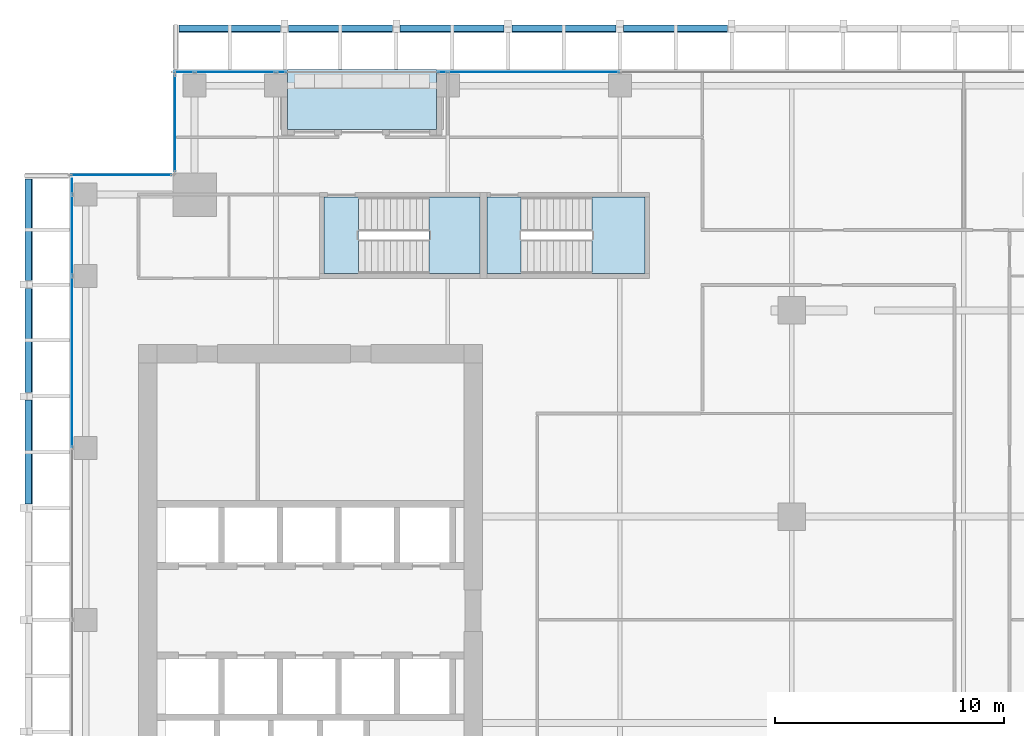
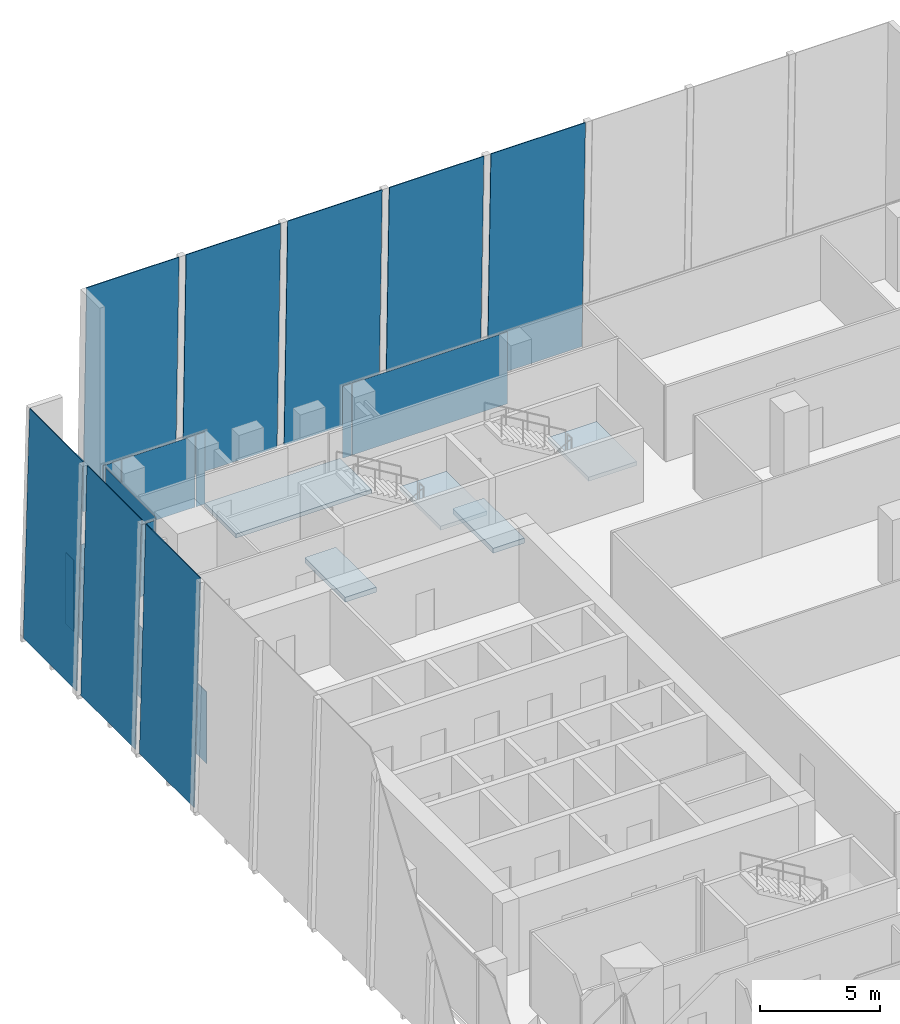
# One storey, part 26 of 35: 18 plates, 5 slabs, 7 elements without a shape of their own.
"""IFC4 building model written with IfcOpenShell, lengths in metres."""

from ifc_helpers import new_model, si_unit, direction, frame, origin, origin_2d, place, context, subcontext, project, spatial, polyline, rectangle, outline, extrude, source, transform, mapped, material, layer, layer_set, type_object, element, aggregate, save


model = new_model("IFC4")

# Units and contexts
model_context = context("Model", 3, precision=1e-05, world=origin(), true_north=direction((0.0, 1.0)))
body_context = subcontext(model_context, "Body", "Model", "MODEL_VIEW")
ifc_project = project(units=[si_unit("LENGTHUNIT", "METRE"), si_unit("AREAUNIT", "SQUARE_METRE"), si_unit("VOLUMEUNIT", "CUBIC_METRE"), si_unit("PLANEANGLEUNIT", "RADIAN"), si_unit("MASSUNIT", "GRAM", prefix="KILO")], contexts=[model_context])

# Site, building, storey
site_placement = place(None, origin())
site = spatial("IfcSite", under=ifc_project, at=site_placement, CompositionType="ELEMENT")
building_placement = place(site_placement, origin())
building = spatial("IfcBuilding", under=site, at=building_placement, Name="Khomas Fold Tower", CompositionType="ELEMENT")
storey_placement = place(building_placement, frame((0.0, 0.0, 188.699951171875)))
storey = spatial("IfcBuildingStorey", under=building, at=storey_placement, Name="L41", CompositionType="ELEMENT", Elevation=188.699951171875)

# Plates
ifc_material_1 = material(Name="Clear laminated glass", Category="glass")
ifc_layer_1 = layer(ifc_material_1, 0.0400390625)
ifc_layer_set_1 = layer_set([ifc_layer_1], Name="Clear laminated glass")
plate_type_1 = type_object("IfcPlateType", Name="SK-Clear laminated glass leaf", PredefinedType="SHEET", material=ifc_layer_set_1)
plate_1_placement = place(storey_placement, frame((7.77001953125, 52.95654296875, 0.0009765625), z_axis=(0.0, 0.999657230839, 0.026180543005), x_axis=(1.0, 0.0, 0.0)))
element("IfcPlate", 1, at=plate_1_placement, inside=storey, type_object=plate_type_1, Name="OUTER SKIN glass L41 N1", PredefinedType="SHEET", context=body_context, shape_type="SweptSolid", body=[
    extrude(outline(polyline([(0.0, 0.0), (4.43505859375, 0.0), (4.43505859375, -11.554009186164079), (0.0, -11.554009186164079), (0.0, 0.0)])), origin(), (0.0, 0.0, -1.0), 0.0400390625),
])
for number, where, z_axis, x_axis, name in (
    (2, (12.544921875, 52.95654296875, 0.0009765625), (0.0, 0.999657230839, 0.026180543005), (1.0, 0.0, 0.0), "OUTER SKIN glass L41 N3"),
    (3, (17.419921875, 52.95654296875, 0.0009765625), (0.0, 0.999657230839, 0.026180543005), (1.0, 0.0, 0.0), "OUTER SKIN glass L41 N5"),
    (4, (22.294921875, 52.95654296875, 0.0009765625), (0.0, 0.999657230839, 0.026180543005), (1.0, 0.0, 0.0), "OUTER SKIN glass L41 N7"),
    (5, (27.169921875, 52.95654296875, 0.0009765625), (0.0, 0.999657230839, 0.026180543005), (1.0, 0.0, 0.0), "OUTER SKIN glass L41 N9"),
    (6, (1.04345703125, 32.044921875, 0.0009765625), (-0.999657230839, 0.0, 0.026180543005), (0.0, 1.0, 0.0), "OUTER SKIN glass L41 W11"),
    (7, (1.04345703125, 36.919921875, 0.0009765625), (-0.999657230839, 0.0, 0.026180543005), (0.0, 1.0, 0.0), "OUTER SKIN glass L41 W13"),
):
    element("IfcPlate", number, at=place(storey_placement, frame(where, z_axis=z_axis, x_axis=x_axis)), inside=storey, type_object=plate_type_1, Name=name, PredefinedType="SHEET", context=body_context, shape_type="SweptSolid", body=[
        extrude(outline(polyline([(0.0, 0.0), (4.53515625, 0.0), (4.53515625, -11.554009186164079), (0.0, -11.554009186164079), (0.0, 0.0)])), origin(), (0.0, 0.0, -1.0), 0.0400390625),
    ])
plate_2_placement = place(storey_placement, frame((1.04345703125, 41.794921875, 0.0009765625), z_axis=(-0.999657230839, 0.0, 0.026180543005), x_axis=(0.0, 1.0, 0.0)))
element("IfcPlate", 8, at=plate_2_placement, inside=storey, type_object=plate_type_1, Name="OUTER SKIN glass L41 W15", PredefinedType="SHEET", context=body_context, shape_type="SweptSolid", body=[
    extrude(outline(polyline([(0.0, 0.0), (4.43505859375, 0.0), (4.43505859375, -11.554009186164079), (0.0, -11.554009186164079), (0.0, 0.0)])), origin(), (0.0, 0.0, -1.0), 0.0400390625),
])

# Curtain wall, plate
ifc_material_2 = material(Name="Aluminium framed double glazing", Category="aluminium")
curtain_wall_type = type_object("IfcCurtainWallType", Name="SK-Unitised clear-glass wall, office floors CW2", PredefinedType="NOTDEFINED", material=ifc_material_2)
curtain_wall_1_placement = place(storey_placement, origin())
curtain_wall_1 = element("IfcCurtainWall", 9, at=curtain_wall_1_placement, inside=storey, type_object=curtain_wall_type, Name="CW2 corner return L41 08", PredefinedType="NOTDEFINED")
ifc_material_3 = material(Name="Clear double glazed unit")
ifc_layer_2 = layer(ifc_material_3, 0.030029296875)
ifc_layer_set_2 = layer_set([ifc_layer_2], Name="Clear double glazed unit")
plate_type_2 = type_object("IfcPlateType", Name="SK-Unitised clear-glass wall, office floors glass panel CW2-P", PredefinedType="CURTAIN_PANEL", material=ifc_layer_set_2)
shared_shape_1 = source(origin(), body_context, "Body", "SweptSolid", [
    extrude(rectangle(XDim=4.3798828125, YDim=0.030029296875, at=origin_2d()), origin(), (0.0, 0.0, 1.0), 3.639892578125),
])
plate_3_placement = place(storey_placement, frame((5.25, 46.39990234375, 0.0), z_axis=(0.0, 0.0, 1.0), x_axis=(-1.0, 0.0, 0.0)))
plate_3 = element("IfcPlate", 10, at=plate_3_placement, type_object=plate_type_2, Name="CW2 glass panel 1", PredefinedType="CURTAIN_PANEL", context=body_context, shape_type="MappedRepresentation", body=[
    mapped(shared_shape_1, transform((0.0, 0.0, 0.0))),
])
aggregate(curtain_wall_1, [plate_3])

curtain_wall_2_placement = place(storey_placement, origin())
curtain_wall_2 = element("IfcCurtainWall", 11, at=curtain_wall_2_placement, inside=storey, type_object=curtain_wall_type, Name="CW2 run L41 09-0", PredefinedType="NOTDEFINED")
shared_shape_2 = source(origin(), body_context, "Body", "SweptSolid", [
    extrude(rectangle(XDim=0.659912109375, YDim=0.030029296875, at=origin_2d()), origin(), (0.0, 0.0, 1.0), 3.639892578125),
])
plate_4_placement = place(storey_placement, frame((3.10009765625, 45.909912109375, 0.0), z_axis=(0.0, 0.0, 1.0), x_axis=(0.0, -1.0, 0.0)))
plate_4 = element("IfcPlate", 12, at=plate_4_placement, type_object=plate_type_2, Name="CW2 glass panel 1", PredefinedType="CURTAIN_PANEL", context=body_context, shape_type="MappedRepresentation", body=[
    mapped(shared_shape_2, transform((0.0, 0.0, 0.0))),
])

curtain_wall_3_placement = place(storey_placement, origin())
curtain_wall_3 = element("IfcCurtainWall", 13, at=curtain_wall_3_placement, inside=storey, type_object=curtain_wall_type, Name="CW2 run L41 06-1", PredefinedType="NOTDEFINED")
shared_shape_3 = source(origin(), body_context, "Body", "SweptSolid", [
    extrude(rectangle(XDim=3.489990234375, YDim=0.030029296875, at=origin_2d()), origin(), (0.0, 0.0, 1.0), 3.639892578125),
])
plate_5_placement = place(storey_placement, frame((10.22509765625, 50.89990234375, 0.0), z_axis=(0.0, 0.0, 1.0), x_axis=(-1.0, 0.0, 0.0)))
plate_5 = element("IfcPlate", 14, at=plate_5_placement, type_object=plate_type_2, Name="CW2 glass panel 2", PredefinedType="CURTAIN_PANEL", context=body_context, shape_type="MappedRepresentation", body=[
    mapped(shared_shape_3, transform((0.0, 0.0, 0.0))),
])

# Plate
plate_6_placement = place(storey_placement, frame((3.10009765625, 43.77490234375, 0.0), z_axis=(0.0, 0.0, 1.0), x_axis=(0.0, -1.0, 0.0)))
plate_6 = element("IfcPlate", 15, at=plate_6_placement, type_object=plate_type_2, Name="CW2 glass panel 2", PredefinedType="CURTAIN_PANEL", context=body_context, shape_type="MappedRepresentation", body=[
    mapped(shared_shape_3, transform((0.0, 0.0, 0.0))),
])

# Curtain wall, plate
curtain_wall_4_placement = place(storey_placement, origin())
curtain_wall_4 = element("IfcCurtainWall", 16, at=curtain_wall_4_placement, inside=storey, type_object=curtain_wall_type, Name="CW2 run L41 06-0", PredefinedType="NOTDEFINED")
shared_shape_4 = source(origin(), body_context, "Body", "SweptSolid", [
    extrude(rectangle(XDim=7.43994140625, YDim=0.030029296875, at=origin_2d()), origin(), (0.0, 0.0, 1.0), 3.639892578125),
])
plate_7_placement = place(storey_placement, frame((23.25, 50.89990234375, 0.0), z_axis=(0.0, 0.0, 1.0), x_axis=(-1.0, 0.0, 0.0)))
plate_7 = element("IfcPlate", 17, at=plate_7_placement, type_object=plate_type_2, Name="CW2 glass panel 3", PredefinedType="CURTAIN_PANEL", context=body_context, shape_type="MappedRepresentation", body=[
    mapped(shared_shape_4, transform((0.0, 0.0, 0.0))),
])

# Plate
plate_8_placement = place(storey_placement, frame((3.10009765625, 38.25, 0.0), z_axis=(0.0, 0.0, 1.0), x_axis=(0.0, -1.0, 0.0)))
plate_8 = element("IfcPlate", 18, at=plate_8_placement, type_object=plate_type_2, Name="CW2 glass panel 3", PredefinedType="CURTAIN_PANEL", context=body_context, shape_type="MappedRepresentation", body=[
    mapped(shared_shape_4, transform((0.0, 0.0, 0.0))),
])

aggregate(curtain_wall_2, [plate_4, plate_6, plate_8])

# Curtain wall, plate
curtain_wall_5_placement = place(storey_placement, origin())
curtain_wall_5 = element("IfcCurtainWall", 19, at=curtain_wall_5_placement, inside=storey, type_object=curtain_wall_type, Name="CW2 corner return L41 07", PredefinedType="NOTDEFINED")
shared_shape_5 = source(origin(), body_context, "Body", "SweptSolid", [
    extrude(rectangle(XDim=4.179931640625, YDim=0.030029296875, at=origin_2d()), origin(), (0.0, 0.0, 1.0), 3.639892578125),
])
plate_9_placement = place(storey_placement, frame((7.60009765625, 48.64990234375, 0.0), z_axis=(0.0, 0.0, 1.0), x_axis=(0.0, -1.0, 0.0)))
plate_9 = element("IfcPlate", 20, at=plate_9_placement, type_object=plate_type_2, Name="CW2 glass panel 1", PredefinedType="CURTAIN_PANEL", context=body_context, shape_type="MappedRepresentation", body=[
    mapped(shared_shape_5, transform((0.0, 0.0, 0.0))),
])
aggregate(curtain_wall_5, [plate_9])

# Plate
shared_shape_6 = source(origin(), body_context, "Body", "SweptSolid", [
    extrude(rectangle(XDim=0.409912109375, YDim=0.030029296875, at=origin_2d()), origin(), (0.0, 0.0, 1.0), 3.639892578125),
])
plate_10_placement = place(storey_placement, frame((19.264892578125, 50.89990234375, 0.0), z_axis=(0.0, 0.0, 1.0), x_axis=(-1.0, 0.0, 0.0)))
plate_10 = element("IfcPlate", 21, at=plate_10_placement, type_object=plate_type_2, Name="CW2 glass panel 4", PredefinedType="CURTAIN_PANEL", context=body_context, shape_type="MappedRepresentation", body=[
    mapped(shared_shape_6, transform((0.0, 0.0, 0.0))),
])

aggregate(curtain_wall_4, [plate_7, plate_10])

plate_11_placement = place(storey_placement, frame((12.235107421875, 50.89990234375, 0.0), z_axis=(0.0, 0.0, 1.0), x_axis=(-1.0, 0.0, 0.0)))
plate_11 = element("IfcPlate", 22, at=plate_11_placement, type_object=plate_type_2, Name="CW2 glass panel 1", PredefinedType="CURTAIN_PANEL", context=body_context, shape_type="MappedRepresentation", body=[
    mapped(shared_shape_6, transform((0.0, 0.0, 0.0))),
])

shared_shape_7 = source(origin(), body_context, "Body", "SweptSolid", [
    extrude(rectangle(XDim=0.860107421875, YDim=0.030029296875, at=origin_2d()), origin(), (0.0, 0.0, 1.0), 3.639892578125),
])
plate_12_placement = place(storey_placement, frame((7.989990234375, 50.89990234375, 0.0), z_axis=(0.0, 0.0, 1.0), x_axis=(-1.0, 0.0, 0.0)))
plate_12 = element("IfcPlate", 23, at=plate_12_placement, type_object=plate_type_2, Name="CW2 glass panel 3", PredefinedType="CURTAIN_PANEL", context=body_context, shape_type="MappedRepresentation", body=[
    mapped(shared_shape_7, transform((0.0, 0.0, 0.0))),
])

aggregate(curtain_wall_3, [plate_11, plate_5, plate_12])

# Slab
ifc_material_4 = material(Name="Concrete C40/50", Category="concrete")
ifc_layer_3 = layer(ifc_material_4, 0.205078125)
ifc_layer_set_3 = layer_set([ifc_layer_3], Name="Concrete C40/50")
slab_type_1 = type_object("IfcSlabType", Name="BL-Balcony deck 205", PredefinedType="FLOOR", material=ifc_layer_set_3)
shared_shape_8 = source(origin(), body_context, "Body", "SweptSolid", [
    extrude(outline(polyline([(12.5, 48.39990234375), (19.0, 48.39990234375), (19.0, 51.0), (12.5, 51.0), (12.5, 48.39990234375)])), origin(), (0.0, 0.0, 1.0), 0.205078125),
])
slab_1_placement = place(storey_placement, frame((0.0, 0.0, -0.25)))
element("IfcSlab", 24, at=slab_1_placement, inside=storey, type_object=slab_type_1, Name="Balcony deck BAL-L41-N1", PredefinedType="FLOOR", context=body_context, shape_type="MappedRepresentation", body=[
    mapped(shared_shape_8, transform((0.0, 0.0, 0.0))),
])

# Stair, slab
ifc_material_5 = material(Name="Concrete C40/50", Category="concrete")
stair_type_1 = type_object("IfcStairType", Name="Stair ST1", PredefinedType="HALF_TURN_STAIR", material=ifc_material_5)
stair_1_placement = place(storey_placement, origin())
stair_1 = element("IfcStair", 25, at=stair_1_placement, inside=storey, type_object=stair_type_1, Name="L41 ST1", PredefinedType="HALF_TURN_STAIR")
ifc_material_6 = material(Name="Concrete C40/50", Category="concrete")
ifc_layer_4 = layer(ifc_material_6, 0.199951171875)
ifc_layer_set_4 = layer_set([ifc_layer_4], Name="Concrete C40/50")
slab_type_2 = type_object("IfcSlabType", Name="Stair landing 200", PredefinedType="LANDING", material=ifc_layer_set_4)
shared_shape_9 = source(origin(), body_context, "Body", "SweptSolid", [
    extrude(outline(polyline([(18.679931640625, 42.10009765625), (20.89990234375, 42.10009765625), (20.89990234375, 45.449951171875), (18.679931640625, 45.449951171875), (18.679931640625, 42.10009765625)])), origin(), (0.0, 0.0, 1.0), 0.199951171875),
])
slab_2_placement = place(storey_placement, frame((0.0, 0.0, 1.800048828125)))
slab_2 = element("IfcSlab", 26, at=slab_2_placement, type_object=slab_type_2, Name="ST1 landing 1", PredefinedType="LANDING", context=body_context, shape_type="MappedRepresentation", body=[
    mapped(shared_shape_9, transform((0.0, 0.0, 0.0))),
])
aggregate(stair_1, [slab_2])

# Slab
ifc_material_7 = material(Name="Concrete C40/50", Category="concrete")
ifc_layer_5 = layer(ifc_material_7, 0.25)
ifc_layer_set_5 = layer_set([ifc_layer_5], Name="Concrete C40/50")
slab_type_3 = type_object("IfcSlabType", Name="Stair floor landing 250", PredefinedType="LANDING", material=ifc_layer_set_5)
shared_shape_10 = source(origin(), body_context, "Body", "SweptSolid", [
    extrude(outline(polyline([(15.60009765625, 42.10009765625), (14.10009765625, 42.10009765625), (14.10009765625, 45.449951171875), (15.60009765625, 45.449951171875), (15.60009765625, 42.10009765625)])), origin(), (0.0, 0.0, 1.0), 0.25),
])
slab_3_placement = place(storey_placement, frame((0.0, 0.0, -0.25)))
element("IfcSlab", 27, at=slab_3_placement, inside=storey, type_object=slab_type_3, Name="ST1 floor landing", PredefinedType="LANDING", context=body_context, shape_type="MappedRepresentation", body=[
    mapped(shared_shape_10, transform((0.0, 0.0, 0.0))),
])

# Stair, slab
ifc_material_8 = material(Name="Concrete C40/50", Category="concrete")
stair_type_2 = type_object("IfcStairType", Name="Stair ST3", PredefinedType="HALF_TURN_STAIR", material=ifc_material_8)
stair_2_placement = place(storey_placement, origin())
stair_2 = element("IfcStair", 28, at=stair_2_placement, inside=storey, type_object=stair_type_2, Name="L41 ST3", PredefinedType="HALF_TURN_STAIR")
shared_shape_11 = source(origin(), body_context, "Body", "SweptSolid", [
    extrude(outline(polyline([(25.780029296875, 42.10009765625), (28.10009765625, 42.10009765625), (28.10009765625, 45.449951171875), (25.780029296875, 45.449951171875), (25.780029296875, 42.10009765625)])), origin(), (0.0, 0.0, 1.0), 0.199951171875),
])
slab_4_placement = place(storey_placement, frame((0.0, 0.0, 1.800048828125)))
slab_4 = element("IfcSlab", 29, at=slab_4_placement, type_object=slab_type_2, Name="ST3 landing 1", PredefinedType="LANDING", context=body_context, shape_type="MappedRepresentation", body=[
    mapped(shared_shape_11, transform((0.0, 0.0, 0.0))),
])
aggregate(stair_2, [slab_4])

# Slab
shared_shape_12 = source(origin(), body_context, "Body", "SweptSolid", [
    extrude(outline(polyline([(22.699951171875, 42.10009765625), (21.199951171875, 42.10009765625), (21.199951171875, 45.449951171875), (22.699951171875, 45.449951171875), (22.699951171875, 42.10009765625)])), origin(), (0.0, 0.0, 1.0), 0.25),
])
slab_5_placement = place(storey_placement, frame((0.0, 0.0, -0.25)))
element("IfcSlab", 30, at=slab_5_placement, inside=storey, type_object=slab_type_3, Name="ST3 floor landing", PredefinedType="LANDING", context=body_context, shape_type="MappedRepresentation", body=[
    mapped(shared_shape_12, transform((0.0, 0.0, 0.0))),
])

save(model, "model.ifc")
